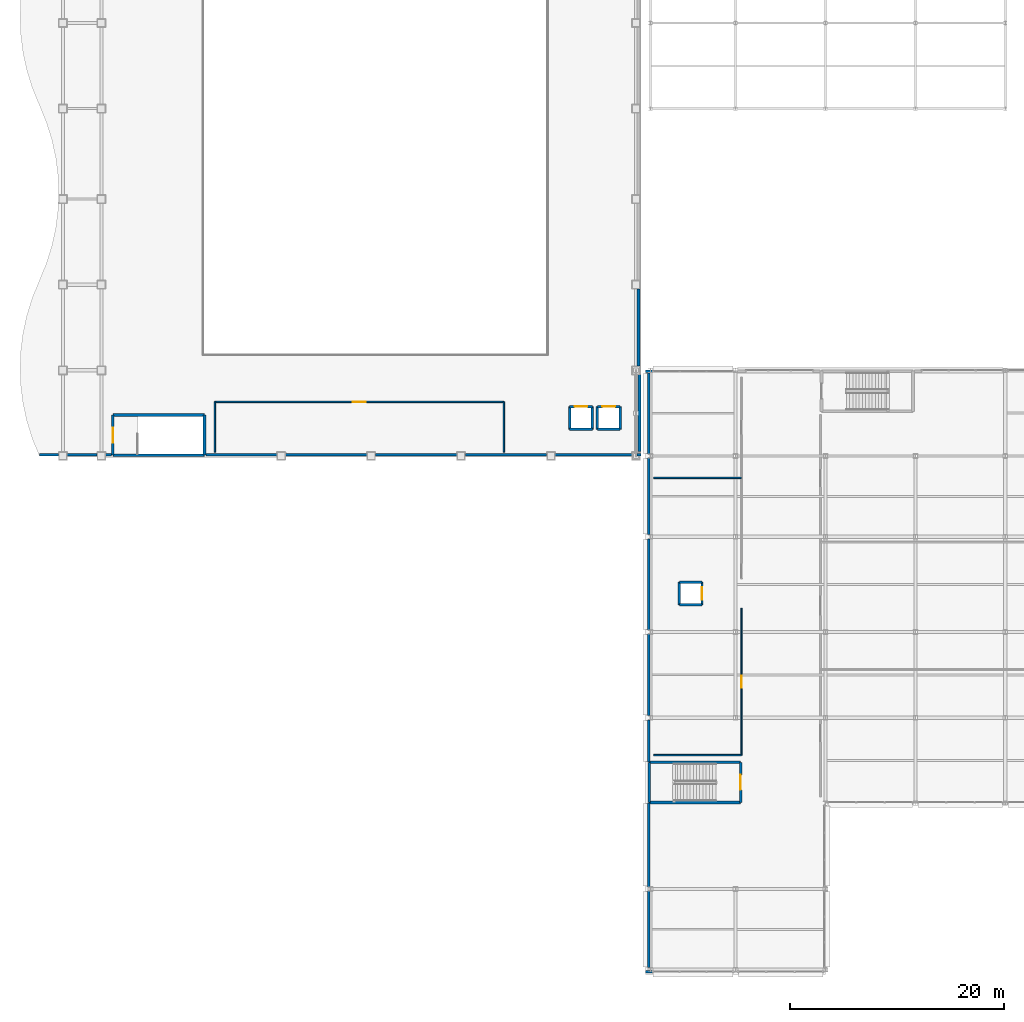
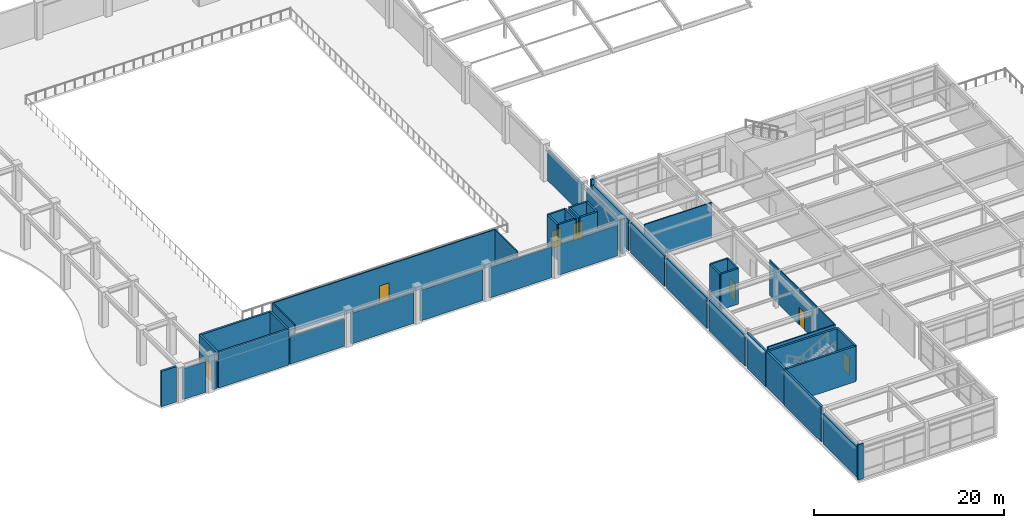
# One storey, part 73 of 93: 46 walls, 7 doors, 7 openings.
"""IFC4 building model written with IfcOpenShell, lengths in metres."""

from ifc_helpers import new_model, si_unit, direction, frame, frame_2d, origin, place, context, subcontext, project, spatial, rectangle, extrude, material, layer, layer_set, type_object, element, fill, save


model = new_model("IFC4")

# Units and contexts
model_context = context("Model", 3, precision=1e-05, world=origin(), true_north=direction((0.0, 1.0)))
body_context = subcontext(model_context, "Body", "Model", "MODEL_VIEW")
ifc_project = project(units=[si_unit("LENGTHUNIT", "METRE"), si_unit("AREAUNIT", "SQUARE_METRE"), si_unit("VOLUMEUNIT", "CUBIC_METRE"), si_unit("PLANEANGLEUNIT", "RADIAN"), si_unit("MASSUNIT", "GRAM", prefix="KILO")], contexts=[model_context])

# Site, building, storey
site_placement = place(None, origin())
site = spatial("IfcSite", under=ifc_project, at=site_placement, CompositionType="ELEMENT")
building_placement = place(site_placement, origin())
building = spatial("IfcBuilding", under=site, at=building_placement, Name="Kazehara Bluff Congress Hotel", CompositionType="ELEMENT")
storey_placement = place(building_placement, frame((0.0, 0.0, 15.0)))
storey = spatial("IfcBuildingStorey", under=building, at=storey_placement, Name="L03", CompositionType="ELEMENT", Elevation=15.0)

# Wall, opening, door
ifc_material_1 = material(Name="Concrete C40/50", Category="concrete")
ifc_layer_1 = layer(ifc_material_1, 0.25)
ifc_layer_set_1 = layer_set([ifc_layer_1], Name="Concrete C40/50")
wall_type_1 = type_object("IfcWallType", Name="TP-CW-RC", PredefinedType="SHEAR", material=ifc_layer_set_1)
wall_1_placement = place(storey_placement, frame((9.47509765625, 48.52490234375, 0.0), z_axis=(0.0, 0.0, 1.0), x_axis=(0.0, 1.0, 0.0)))
wall_1 = element("IfcWall", 1, at=wall_1_placement, inside=storey, type_object=wall_type_1, Name="L03 ST-03 core wall near", PredefinedType="SHEAR", context=body_context, shape_type="SweptSolid", body=[
    extrude(rectangle(XDim=3.75, YDim=0.25, at=frame_2d((1.875, 0.0))), origin(), (0.0, 0.0, 1.0), 4.56005859375),
])
opening_1_placement = place(wall_1_placement, frame((1.175048828125, 0.0, 0.0)))
opening_1 = element("IfcOpeningElement", 2, at=opening_1_placement, cuts=wall_1, Name="Opening FD-03", PredefinedType="OPENING", context=body_context, shape_type="SweptSolid", body=[
    extrude(rectangle(XDim=1.39990234375, YDim=2.25, at=frame_2d((0.699951171875, 1.125))), frame((0.0, 0.135009765625, 0.0), z_axis=(0.0, -1.0, 0.0), x_axis=(1.0, 0.0, 0.0)), (0.0, 0.0, 1.0), 0.27001953125),
])
ifc_material_2 = material(Name="Fire-rated painted steel leaf", Category="steel")
door_type_1 = type_object("IfcDoorType", Name="TP-FD-03", OperationType="NOTDEFINED", PredefinedType="DOOR", material=ifc_material_2)
door_1_placement = place(opening_1_placement, origin())
door_1 = element("IfcDoor", 3, at=door_1_placement, inside=storey, type_object=door_type_1, Name="L03 ST-03 fire stair door", OperationType="SINGLE_SWING_RIGHT", OverallHeight=2.25, OverallWidth=1.39990234375, PredefinedType="DOOR", context=body_context, shape_type="SweptSolid", body=[
    extrude(rectangle(XDim=1.39990234375, YDim=2.25, at=frame_2d((0.699951171875, 1.125))), frame((0.0, 0.02490234375, 0.0), z_axis=(0.0, -1.0, 0.0), x_axis=(1.0, 0.0, 0.0)), (0.0, 0.0, 1.0), 0.050048828125),
])
fill(opening_1, door_1)

# Walls
wall_2_placement = place(storey_placement, frame((18.02490234375, 52.27490234375, 0.0), z_axis=(0.0, 0.0, 1.0), x_axis=(0.0, -1.0, 0.0)))
element("IfcWall", 4, at=wall_2_placement, inside=storey, type_object=wall_type_1, Name="L03 ST-03 core wall far", PredefinedType="SHEAR", context=body_context, shape_type="SweptSolid", body=[
    extrude(rectangle(XDim=3.75, YDim=0.25, at=frame_2d((1.875, 0.0))), origin(), (0.0, 0.0, 1.0), 4.56005859375),
])
for number, where, z_axis, x_axis, name in (
    (5, (18.02490234375, 48.52490234375, 0.0), (0.0, 0.0, 1.0), (-1.0, 0.0, 0.0), "L03 ST-03 core wall left"),
    (6, (9.47509765625, 52.27490234375, 0.0), (0.0, 0.0, 1.0), (1.0, 0.0, 0.0), "L03 ST-03 core wall right"),
):
    element("IfcWall", number, at=place(storey_placement, frame(where, z_axis=z_axis, x_axis=x_axis)), inside=storey, type_object=wall_type_1, Name=name, PredefinedType="SHEAR", context=body_context, shape_type="SweptSolid", body=[
        extrude(rectangle(XDim=8.5498046875, YDim=0.25, at=frame_2d((4.27490234375, 0.0))), origin(), (0.0, 0.0, 1.0), 4.56005859375),
    ])

# Wall, opening, door
wall_3_placement = place(storey_placement, frame((68.125, 19.824951171875, 0.0), z_axis=(0.0, 0.0, 1.0), x_axis=(0.0, -1.0, 0.0)))
wall_3 = element("IfcWall", 7, at=wall_3_placement, inside=storey, type_object=wall_type_1, Name="L03 ST-08 core wall near", PredefinedType="SHEAR", context=body_context, shape_type="SweptSolid", body=[
    extrude(rectangle(XDim=3.75, YDim=0.25, at=frame_2d((1.875, 0.0))), origin(), (0.0, 0.0, 1.0), 4.56005859375),
])
opening_2_placement = place(wall_3_placement, frame((1.175048828125, 0.0, 0.0)))
opening_2 = element("IfcOpeningElement", 8, at=opening_2_placement, cuts=wall_3, Name="Opening FD-03", PredefinedType="OPENING", context=body_context, shape_type="SweptSolid", body=[
    extrude(rectangle(XDim=1.39990234375, YDim=2.25, at=frame_2d((0.699951171875, 1.125))), frame((0.0, 0.135009765625, 0.0), z_axis=(0.0, -1.0, 0.0), x_axis=(1.0, 0.0, 0.0)), (0.0, 0.0, 1.0), 0.27001953125),
])
door_2_placement = place(opening_2_placement, origin())
door_2 = element("IfcDoor", 9, at=door_2_placement, inside=storey, type_object=door_type_1, Name="L03 ST-08 fire stair door", OperationType="SINGLE_SWING_LEFT", OverallHeight=2.25, OverallWidth=1.39990234375, PredefinedType="DOOR", context=body_context, shape_type="SweptSolid", body=[
    extrude(rectangle(XDim=1.39990234375, YDim=2.25, at=frame_2d((0.699951171875, 1.125))), frame((0.0, 0.02490234375, 0.0), z_axis=(0.0, -1.0, 0.0), x_axis=(1.0, 0.0, 0.0)), (0.0, 0.0, 1.0), 0.050048828125),
])
fill(opening_2, door_2)

# Walls
wall_4_placement = place(storey_placement, frame((59.574951171875, 16.074951171875, 0.0), z_axis=(0.0, 0.0, 1.0), x_axis=(0.0, 1.0, 0.0)))
element("IfcWall", 10, at=wall_4_placement, inside=storey, type_object=wall_type_1, Name="L03 ST-08 core wall far", PredefinedType="SHEAR", context=body_context, shape_type="SweptSolid", body=[
    extrude(rectangle(XDim=3.75, YDim=0.25, at=frame_2d((1.875, 0.0))), origin(), (0.0, 0.0, 1.0), 4.56005859375),
])
for number, where, z_axis, x_axis, name in (
    (11, (59.574951171875, 19.824951171875, 0.0), (0.0, 0.0, 1.0), (1.0, 0.0, 0.0), "L03 ST-08 core wall left"),
    (12, (68.125, 16.074951171875, 0.0), (0.0, 0.0, 1.0), (-1.0, 0.0, 0.0), "L03 ST-08 core wall right"),
):
    element("IfcWall", number, at=place(storey_placement, frame(where, z_axis=z_axis, x_axis=x_axis)), inside=storey, type_object=wall_type_1, Name=name, PredefinedType="SHEAR", context=body_context, shape_type="SweptSolid", body=[
        extrude(rectangle(XDim=8.550048828125, YDim=0.25, at=frame_2d((4.27490234375, 0.0))), origin(), (0.0, 0.0, 1.0), 4.56005859375),
    ])
ifc_material_3 = material(Name="Precast concrete C40/50", Category="concrete")
ifc_layer_2 = layer(ifc_material_3, 0.239990234375)
ifc_layer_set_2 = layer_set([ifc_layer_2], Name="Precast concrete C40/50")
wall_type_2 = type_object("IfcWallType", Name="TP-EW-240", PredefinedType="SOLIDWALL", material=ifc_layer_set_2)
for number, where, z_axis, x_axis, name in (
    (13, (58.669921875, 48.85009765625, 0.0), (0.0, 0.0, 1.0), (0.0, 1.0, 0.0), "L03 braced-bay recessed facade wall 6"),
    (14, (58.580078125, 64.050048828125, 0.0), (0.0, 0.0, 1.0), (0.0, -1.0, 0.0), "L03 V1 perimeter spandrel pier 672"),
):
    element("IfcWall", number, at=place(storey_placement, frame(where, z_axis=z_axis, x_axis=x_axis)), inside=storey, type_object=wall_type_2, Name=name, PredefinedType="SOLIDWALL", context=body_context, shape_type="SweptSolid", body=[
        extrude(rectangle(XDim=7.199951171875, YDim=0.239990234375, at=frame_2d((3.60009765625, 0.0))), origin(), (0.0, 0.0, 1.0), 3.885009765625),
    ])
wall_5_placement = place(storey_placement, frame((4.39990234375, 48.550048828125, 0.0), z_axis=(0.0, 0.0, 1.0), x_axis=(-1.0, 0.0, 0.0)))
element("IfcWall", 15, at=wall_5_placement, inside=storey, type_object=wall_type_2, Name="L03 V1 perimeter spandrel pier 687", PredefinedType="SOLIDWALL", context=body_context, shape_type="SweptSolid", body=[
    extrude(rectangle(XDim=1.7998046875, YDim=0.239990234375, at=frame_2d((0.89990234375, 0.0))), origin(), (0.0, 0.0, 1.0), 4.544921875),
])
wall_6_placement = place(storey_placement, frame((8.0, 48.550048828125, 0.0), z_axis=(0.0, 0.0, 1.0), x_axis=(-1.0, 0.0, 0.0)))
element("IfcWall", 16, at=wall_6_placement, inside=storey, type_object=wall_type_2, Name="L03 V1 perimeter spandrel pier 688", PredefinedType="SOLIDWALL", context=body_context, shape_type="SweptSolid", body=[
    extrude(rectangle(XDim=2.800048828125, YDim=0.239990234375, at=frame_2d((1.39990234375, 0.0))), origin(), (0.0, 0.0, 1.0), 3.93505859375),
])
wall_7_placement = place(storey_placement, frame((9.340087890625, 48.550048828125, 0.0), z_axis=(0.0, 0.0, 1.0), x_axis=(-1.0, 0.0, 0.0)))
element("IfcWall", 17, at=wall_7_placement, inside=storey, type_object=wall_type_2, Name="L03 V1 perimeter spandrel pier 689", PredefinedType="SOLIDWALL", context=body_context, shape_type="SweptSolid", body=[
    extrude(rectangle(XDim=0.5400390625, YDim=0.239990234375, at=frame_2d((0.27001953125, 0.0))), origin(), (0.0, 0.0, 1.0), 3.534912109375),
])
wall_8_placement = place(storey_placement, frame((24.800048828125, 48.550048828125, 0.0), z_axis=(0.0, 0.0, 1.0), x_axis=(-1.0, 0.0, 0.0)))
element("IfcWall", 18, at=wall_8_placement, inside=storey, type_object=wall_type_2, Name="L03 V1 perimeter spandrel pier 690", PredefinedType="SOLIDWALL", context=body_context, shape_type="SweptSolid", body=[
    extrude(rectangle(XDim=6.64013671875, YDim=0.239990234375, at=frame_2d((3.320068359375, 0.0))), origin(), (0.0, 0.0, 1.0), 3.534912109375),
])
wall_9_placement = place(storey_placement, frame((33.199951171875, 48.550048828125, 0.0), z_axis=(0.0, 0.0, 1.0), x_axis=(-1.0, 0.0, 0.0)))
element("IfcWall", 19, at=wall_9_placement, inside=storey, type_object=wall_type_2, Name="L03 V1 perimeter spandrel pier 691", PredefinedType="SOLIDWALL", context=body_context, shape_type="SweptSolid", body=[
    extrude(rectangle(XDim=7.599853515625, YDim=0.239990234375, at=frame_2d((3.7998046875, 0.0))), origin(), (0.0, 0.0, 1.0), 3.93505859375),
])
for number, where, z_axis, x_axis, name in (
    (20, (41.60009765625, 48.550048828125, 0.0), (0.0, 0.0, 1.0), (-1.0, 0.0, 0.0), "L03 V1 perimeter spandrel pier 692"),
    (21, (50.0, 48.550048828125, 0.0), (0.0, 0.0, 1.0), (-1.0, 0.0, 0.0), "L03 V1 perimeter spandrel pier 693"),
):
    element("IfcWall", number, at=place(storey_placement, frame(where, z_axis=z_axis, x_axis=x_axis)), inside=storey, type_object=wall_type_2, Name=name, PredefinedType="SOLIDWALL", context=body_context, shape_type="SweptSolid", body=[
        extrude(rectangle(XDim=7.60009765625, YDim=0.239990234375, at=frame_2d((3.800048828125, 0.0))), origin(), (0.0, 0.0, 1.0), 3.93505859375),
    ])
wall_10_placement = place(storey_placement, frame((57.949951171875, 48.550048828125, 0.0), z_axis=(0.0, 0.0, 1.0), x_axis=(-1.0, 0.0, 0.0)))
element("IfcWall", 22, at=wall_10_placement, inside=storey, type_object=wall_type_2, Name="L03 V1 perimeter spandrel pier 694", PredefinedType="SOLIDWALL", context=body_context, shape_type="SweptSolid", body=[
    extrude(rectangle(XDim=7.14990234375, YDim=0.239990234375, at=frame_2d((3.574951171875, 0.0))), origin(), (0.0, 0.0, 1.0), 3.93505859375),
])
wall_11_placement = place(storey_placement, frame((58.800048828125, 48.550048828125, 0.0), z_axis=(0.0, 0.0, 1.0), x_axis=(-1.0, 0.0, 0.0)))
element("IfcWall", 23, at=wall_11_placement, inside=storey, type_object=wall_type_2, Name="L03 V1 perimeter spandrel pier 695", PredefinedType="SOLIDWALL", context=body_context, shape_type="SweptSolid", body=[
    extrude(rectangle(XDim=0.360107421875, YDim=0.239990234375, at=frame_2d((0.18017578125, 0.0))), origin(), (0.0, 0.0, 1.0), 4.544921875),
])
for number, where, z_axis, x_axis, name in (
    (24, (59.89990234375, 0.27001953125, 0.0), (0.0, 0.0, 1.0), (-1.0, 0.0, 0.0), "L03 V4 perimeter spandrel pier 696"),
    (25, (59.25, 56.35009765625, 0.0), (0.0, 0.0, 1.0), (1.0, 0.0, 0.0), "L03 V4 perimeter spandrel pier 697"),
):
    element("IfcWall", number, at=place(storey_placement, frame(where, z_axis=z_axis, x_axis=x_axis)), inside=storey, type_object=wall_type_2, Name=name, PredefinedType="SOLIDWALL", context=body_context, shape_type="SweptSolid", body=[
        extrude(rectangle(XDim=0.64990234375, YDim=0.239990234375, at=frame_2d((0.324951171875, 0.0))), origin(), (0.0, 0.0, 1.0), 4.544921875),
    ])
wall_12_placement = place(storey_placement, frame((59.52001953125, 0.64990234375, 0.0), z_axis=(0.0, 0.0, 1.0), x_axis=(0.0, 1.0, 0.0)))
element("IfcWall", 26, at=wall_12_placement, inside=storey, type_object=wall_type_2, Name="L03 V4 perimeter spandrel pier 701", PredefinedType="SOLIDWALL", context=body_context, shape_type="SweptSolid", body=[
    extrude(rectangle(XDim=7.150146484375, YDim=0.239990234375, at=frame_2d((3.5751953125, 0.0))), origin(), (0.0, 0.0, 1.0), 3.885009765625),
])
wall_13_placement = place(storey_placement, frame((59.52001953125, 8.199951171875, 0.0), z_axis=(0.0, 0.0, 1.0), x_axis=(0.0, 1.0, 0.0)))
element("IfcWall", 27, at=wall_13_placement, inside=storey, type_object=wall_type_2, Name="L03 V4 perimeter spandrel pier 702", PredefinedType="SOLIDWALL", context=body_context, shape_type="SweptSolid", body=[
    extrude(rectangle(XDim=7.8349609375, YDim=0.239990234375, at=frame_2d((3.91748046875, 0.0))), origin(), (0.0, 0.0, 1.0), 4.544921875),
])
wall_14_placement = place(storey_placement, frame((59.52001953125, 19.864990234375, 0.0), z_axis=(0.0, 0.0, 1.0), x_axis=(0.0, 1.0, 0.0)))
element("IfcWall", 28, at=wall_14_placement, inside=storey, type_object=wall_type_2, Name="L03 V4 perimeter spandrel pier 703", PredefinedType="SOLIDWALL", context=body_context, shape_type="SweptSolid", body=[
    extrude(rectangle(XDim=3.93505859375, YDim=0.239990234375, at=frame_2d((1.967529296875, 0.0))), origin(), (0.0, 0.0, 1.0), 4.544921875),
])
wall_15_placement = place(storey_placement, frame((59.52001953125, 24.199951171875, 0.0), z_axis=(0.0, 0.0, 1.0), x_axis=(0.0, 1.0, 0.0)))
element("IfcWall", 29, at=wall_15_placement, inside=storey, type_object=wall_type_2, Name="L03 V4 perimeter spandrel pier 704", PredefinedType="SOLIDWALL", context=body_context, shape_type="SweptSolid", body=[
    extrude(rectangle(XDim=7.60009765625, YDim=0.239990234375, at=frame_2d((3.800048828125, 0.0))), origin(), (0.0, 0.0, 1.0), 3.885009765625),
])
wall_16_placement = place(storey_placement, frame((59.52001953125, 32.199951171875, 0.0), z_axis=(0.0, 0.0, 1.0), x_axis=(0.0, 1.0, 0.0)))
element("IfcWall", 30, at=wall_16_placement, inside=storey, type_object=wall_type_2, Name="L03 V4 perimeter spandrel pier 705", PredefinedType="SOLIDWALL", context=body_context, shape_type="SweptSolid", body=[
    extrude(rectangle(XDim=8.5, YDim=0.239990234375, at=frame_2d((4.25, 0.0))), origin(), (0.0, 0.0, 1.0), 3.885009765625),
])
wall_17_placement = place(storey_placement, frame((59.52001953125, 41.10009765625, 0.0), z_axis=(0.0, 0.0, 1.0), x_axis=(0.0, 1.0, 0.0)))
element("IfcWall", 31, at=wall_17_placement, inside=storey, type_object=wall_type_2, Name="L03 V4 perimeter spandrel pier 706", PredefinedType="SOLIDWALL", context=body_context, shape_type="SweptSolid", body=[
    extrude(rectangle(XDim=7.14990234375, YDim=0.239990234375, at=frame_2d((3.574951171875, 0.0))), origin(), (0.0, 0.0, 1.0), 3.885009765625),
])
wall_18_placement = place(storey_placement, frame((59.52001953125, 48.64990234375, 0.0), z_axis=(0.0, 0.0, 1.0), x_axis=(0.0, 1.0, 0.0)))
element("IfcWall", 32, at=wall_18_placement, inside=storey, type_object=wall_type_2, Name="L03 V4 perimeter spandrel pier 707", PredefinedType="SOLIDWALL", context=body_context, shape_type="SweptSolid", body=[
    extrude(rectangle(XDim=7.570068359375, YDim=0.239990234375, at=frame_2d((3.78515625, 0.0))), origin(), (0.0, 0.0, 1.0), 3.885009765625),
])
ifc_material_4 = material(Name="Fire-rated gypsum board stud partition")
ifc_layer_3 = layer(ifc_material_4, 0.1298828125)
ifc_layer_set_3 = layer_set([ifc_layer_3], Name="Fire-rated gypsum board stud partition")
wall_type_3 = type_object("IfcWallType", Name="TP-PT-130", PredefinedType="PARTITIONING", material=ifc_layer_set_3)
for number, where, z_axis, x_axis, name in (
    (33, (60.0, 20.5, 0.0), (0.0, 0.0, 1.0), (1.0, 0.0, 0.0), "L03 partition PT-130 247"),
    (34, (60.0, 46.39990234375, 0.0), (0.0, 0.0, 1.0), (1.0, 0.0, 0.0), "L03 partition PT-130 264"),
):
    element("IfcWall", number, at=place(storey_placement, frame(where, z_axis=z_axis, x_axis=x_axis)), inside=storey, type_object=wall_type_3, Name=name, PredefinedType="PARTITIONING", context=body_context, shape_type="SweptSolid", body=[
        extrude(rectangle(XDim=8.199951171875, YDim=0.1298828125, at=frame_2d((4.10009765625, 0.0))), origin(), (0.0, 0.0, 1.0), 4.544921875),
    ])

# Wall, opening, door
wall_19_placement = place(storey_placement, frame((19.0, 53.5, 0.0), z_axis=(0.0, 0.0, 1.0), x_axis=(1.0, 0.0, 0.0)))
wall_19 = element("IfcWall", 35, at=wall_19_placement, inside=storey, type_object=wall_type_3, Name="L03 partition PT-130 273", PredefinedType="PARTITIONING", context=body_context, shape_type="SweptSolid", body=[
    extrude(rectangle(XDim=27.0, YDim=0.1298828125, at=frame_2d((13.5, 0.0))), origin(), (0.0, 0.0, 1.0), 4.544921875),
])
opening_3_placement = place(wall_19_placement, frame((12.89990234375, 0.0, 0.0)))
opening_3 = element("IfcOpeningElement", 36, at=opening_3_placement, cuts=wall_19, Name="Opening FD-02", PredefinedType="OPENING", context=body_context, shape_type="SweptSolid", body=[
    extrude(rectangle(XDim=1.199951171875, YDim=2.199951171875, at=frame_2d((0.60009765625, 1.10009765625))), frame((0.0, 0.074951171875, 0.0), z_axis=(0.0, -1.0, 0.0), x_axis=(1.0, 0.0, 0.0)), (0.0, 0.0, 1.0), 0.14990234375),
])
ifc_material_5 = material(Name="Fire-rated painted steel leaf", Category="steel")
door_type_2 = type_object("IfcDoorType", Name="TP-FD-02", OperationType="NOTDEFINED", PredefinedType="DOOR", material=ifc_material_5)
door_3_placement = place(opening_3_placement, origin())
door_3 = element("IfcDoor", 37, at=door_3_placement, inside=storey, type_object=door_type_2, Name="L03 Broadcast and Projection Control Suite door", OperationType="SINGLE_SWING_LEFT", OverallHeight=2.199951171875, OverallWidth=1.199951171875, PredefinedType="DOOR", context=body_context, shape_type="SweptSolid", body=[
    extrude(rectangle(XDim=1.199951171875, YDim=2.199951171875, at=frame_2d((0.60009765625, 1.10009765625))), frame((0.0, 0.02490234375, 0.0), z_axis=(0.0, -1.0, 0.0), x_axis=(1.0, 0.0, 0.0)), (0.0, 0.0, 1.0), 0.050048828125),
])
fill(opening_3, door_3)

# Walls
for number, where, z_axis, x_axis, name in (
    (38, (19.0, 48.800048828125, 0.0), (0.0, 0.0, 1.0), (0.0, 1.0, 0.0), "L03 partition PT-130 322"),
    (39, (46.0, 48.800048828125, 0.0), (0.0, 0.0, 1.0), (0.0, 1.0, 0.0), "L03 partition PT-130 323"),
):
    element("IfcWall", number, at=place(storey_placement, frame(where, z_axis=z_axis, x_axis=x_axis)), inside=storey, type_object=wall_type_3, Name=name, PredefinedType="PARTITIONING", context=body_context, shape_type="SweptSolid", body=[
        extrude(rectangle(XDim=4.699951171875, YDim=0.1298828125, at=frame_2d((2.35009765625, 0.0))), origin(), (0.0, 0.0, 1.0), 4.544921875),
    ])

# Wall, opening, door
wall_20_placement = place(storey_placement, frame((68.199951171875, 20.5, 0.0), z_axis=(0.0, 0.0, 1.0), x_axis=(0.0, 1.0, 0.0)))
wall_20 = element("IfcWall", 40, at=wall_20_placement, inside=storey, type_object=wall_type_3, Name="L03 partition PT-130 324", PredefinedType="PARTITIONING", context=body_context, shape_type="SweptSolid", body=[
    extrude(rectangle(XDim=13.699951171875, YDim=0.1298828125, at=frame_2d((6.85009765625, 0.0))), origin(), (0.0, 0.0, 1.0), 4.544921875),
])
opening_4_placement = place(wall_20_placement, frame((6.27490234375, 0.0, 0.0)))
opening_4 = element("IfcOpeningElement", 41, at=opening_4_placement, cuts=wall_20, Name="Opening ID-04", PredefinedType="OPENING", context=body_context, shape_type="SweptSolid", body=[
    extrude(rectangle(XDim=1.14990234375, YDim=2.219970703125, at=frame_2d((0.574951171875, 1.10986328125))), frame((0.0, 0.074951171875, 0.0), z_axis=(0.0, -1.0, 0.0), x_axis=(1.0, 0.0, 0.0)), (0.0, 0.0, 1.0), 0.14990234375),
])
ifc_material_6 = material(Name="Architectural oak veneer leaf")
door_type_3 = type_object("IfcDoorType", Name="TP-ID-04", OperationType="NOTDEFINED", PredefinedType="DOOR", material=ifc_material_6)
door_4_placement = place(opening_4_placement, origin())
door_4 = element("IfcDoor", 42, at=door_4_placement, inside=storey, type_object=door_type_3, Name="L03 Meeting Room L03-1 door", OperationType="SINGLE_SWING_RIGHT", OverallHeight=2.219970703125, OverallWidth=1.14990234375, PredefinedType="DOOR", context=body_context, shape_type="SweptSolid", body=[
    extrude(rectangle(XDim=1.14990234375, YDim=2.219970703125, at=frame_2d((0.574951171875, 1.10986328125))), frame((0.0, 0.02490234375, 0.0), z_axis=(0.0, -1.0, 0.0), x_axis=(1.0, 0.0, 0.0)), (0.0, 0.0, 1.0), 0.050048828125),
])
fill(opening_4, door_4)

ifc_material_7 = material(Name="Concrete C40/50", Category="concrete")
ifc_layer_4 = layer(ifc_material_7, 0.219970703125)
ifc_layer_set_4 = layer_set([ifc_layer_4], Name="Concrete C40/50")
wall_type_4 = type_object("IfcWallType", Name="TP-SW-RC", PredefinedType="SHEAR", material=ifc_layer_set_4)
wall_21_placement = place(storey_placement, frame((52.139892578125, 53.06005859375, 0.0), z_axis=(0.0, 0.0, 1.0), x_axis=(1.0, 0.0, 0.0)))
wall_21 = element("IfcWall", 43, at=wall_21_placement, inside=storey, type_object=wall_type_4, Name="L03 EL-C1 lift shaft wall +Y", PredefinedType="SHEAR", context=body_context, shape_type="SweptSolid", body=[
    extrude(rectangle(XDim=2.1201171875, YDim=0.219970703125, at=frame_2d((1.06005859375, 0.0))), origin(), (0.0, 0.0, 1.0), 4.56005859375),
])
opening_5_placement = place(wall_21_placement, frame((0.4599609375, 0.0, 0.0)))
opening_5 = element("IfcOpeningElement", 44, at=opening_5_placement, cuts=wall_21, Name="Opening LD-02", PredefinedType="OPENING", context=body_context, shape_type="SweptSolid", body=[
    extrude(rectangle(XDim=1.199951171875, YDim=2.25, at=frame_2d((0.60009765625, 1.125))), frame((0.0, 0.119873046875, 0.0), z_axis=(0.0, -1.0, 0.0), x_axis=(1.0, 0.0, 0.0)), (0.0, 0.0, 1.0), 0.239990234375),
])
ifc_material_8 = material(Name="Fire-rated painted steel leaf", Category="steel")
door_type_4 = type_object("IfcDoorType", Name="TP-LD-02", OperationType="SLIDING_TO_LEFT", PredefinedType="DOOR", material=ifc_material_8)
door_5_placement = place(opening_5_placement, origin())
door_5 = element("IfcDoor", 45, at=door_5_placement, inside=storey, type_object=door_type_4, Name="L03 EL-C1 elevator landing door", OperationType="SLIDING_TO_LEFT", OverallHeight=2.25, OverallWidth=1.199951171875, PredefinedType="DOOR", context=body_context, shape_type="SweptSolid", body=[
    extrude(rectangle(XDim=1.199951171875, YDim=2.25, at=frame_2d((0.60009765625, 1.125))), frame((0.0, 0.02490234375, 0.0), z_axis=(0.0, -1.0, 0.0), x_axis=(1.0, 0.0, 0.0)), (0.0, 0.0, 1.0), 0.050048828125),
])
fill(opening_5, door_5)

# Walls
for number, where, z_axis, x_axis, name in (
    (46, (52.139892578125, 50.93994140625, 0.0), (0.0, 0.0, 1.0), (1.0, 0.0, 0.0), "L03 EL-C1 lift shaft wall -Y"),
    (47, (54.260009765625, 50.93994140625, 0.0), (0.0, 0.0, 1.0), (0.0, 1.0, 0.0), "L03 EL-C1 lift shaft wall +X"),
    (48, (52.139892578125, 50.93994140625, 0.0), (0.0, 0.0, 1.0), (0.0, 1.0, 0.0), "L03 EL-C1 lift shaft wall -X"),
):
    element("IfcWall", number, at=place(storey_placement, frame(where, z_axis=z_axis, x_axis=x_axis)), inside=storey, type_object=wall_type_4, Name=name, PredefinedType="SHEAR", context=body_context, shape_type="SweptSolid", body=[
        extrude(rectangle(XDim=2.1201171875, YDim=0.219970703125, at=frame_2d((1.06005859375, 0.0))), origin(), (0.0, 0.0, 1.0), 4.56005859375),
    ])

# Wall, opening, door
wall_22_placement = place(storey_placement, frame((54.739990234375, 53.06005859375, 0.0), z_axis=(0.0, 0.0, 1.0), x_axis=(1.0, 0.0, 0.0)))
wall_22 = element("IfcWall", 49, at=wall_22_placement, inside=storey, type_object=wall_type_4, Name="L03 EL-C2 lift shaft wall +Y", PredefinedType="SHEAR", context=body_context, shape_type="SweptSolid", body=[
    extrude(rectangle(XDim=2.1201171875, YDim=0.219970703125, at=frame_2d((1.06005859375, 0.0))), origin(), (0.0, 0.0, 1.0), 4.56005859375),
])
opening_6_placement = place(wall_22_placement, frame((0.4599609375, 0.0, 0.0)))
opening_6 = element("IfcOpeningElement", 50, at=opening_6_placement, cuts=wall_22, Name="Opening LD-02", PredefinedType="OPENING", context=body_context, shape_type="SweptSolid", body=[
    extrude(rectangle(XDim=1.199951171875, YDim=2.25, at=frame_2d((0.60009765625, 1.125))), frame((0.0, 0.119873046875, 0.0), z_axis=(0.0, -1.0, 0.0), x_axis=(1.0, 0.0, 0.0)), (0.0, 0.0, 1.0), 0.239990234375),
])
door_6_placement = place(opening_6_placement, origin())
door_6 = element("IfcDoor", 51, at=door_6_placement, inside=storey, type_object=door_type_4, Name="L03 EL-C2 elevator landing door", OperationType="SLIDING_TO_LEFT", OverallHeight=2.25, OverallWidth=1.199951171875, PredefinedType="DOOR", context=body_context, shape_type="SweptSolid", body=[
    extrude(rectangle(XDim=1.199951171875, YDim=2.25, at=frame_2d((0.60009765625, 1.125))), frame((0.0, 0.02490234375, 0.0), z_axis=(0.0, -1.0, 0.0), x_axis=(1.0, 0.0, 0.0)), (0.0, 0.0, 1.0), 0.050048828125),
])
fill(opening_6, door_6)

# Walls
for number, where, z_axis, x_axis, name in (
    (52, (54.739990234375, 50.93994140625, 0.0), (0.0, 0.0, 1.0), (1.0, 0.0, 0.0), "L03 EL-C2 lift shaft wall -Y"),
    (53, (56.860107421875, 50.93994140625, 0.0), (0.0, 0.0, 1.0), (0.0, 1.0, 0.0), "L03 EL-C2 lift shaft wall +X"),
    (54, (54.739990234375, 50.93994140625, 0.0), (0.0, 0.0, 1.0), (0.0, 1.0, 0.0), "L03 EL-C2 lift shaft wall -X"),
    (55, (62.389892578125, 36.659912109375, 0.0), (0.0, 0.0, 1.0), (1.0, 0.0, 0.0), "L03 EL-C3 lift shaft wall +Y"),
    (56, (62.389892578125, 34.5400390625, 0.0), (0.0, 0.0, 1.0), (1.0, 0.0, 0.0), "L03 EL-C3 lift shaft wall -Y"),
):
    element("IfcWall", number, at=place(storey_placement, frame(where, z_axis=z_axis, x_axis=x_axis)), inside=storey, type_object=wall_type_4, Name=name, PredefinedType="SHEAR", context=body_context, shape_type="SweptSolid", body=[
        extrude(rectangle(XDim=2.1201171875, YDim=0.219970703125, at=frame_2d((1.06005859375, 0.0))), origin(), (0.0, 0.0, 1.0), 4.56005859375),
    ])

# Wall, opening, door
wall_23_placement = place(storey_placement, frame((64.510009765625, 34.5400390625, 0.0), z_axis=(0.0, 0.0, 1.0), x_axis=(0.0, 1.0, 0.0)))
wall_23 = element("IfcWall", 57, at=wall_23_placement, inside=storey, type_object=wall_type_4, Name="L03 EL-C3 lift shaft wall +X", PredefinedType="SHEAR", context=body_context, shape_type="SweptSolid", body=[
    extrude(rectangle(XDim=2.119873046875, YDim=0.219970703125, at=frame_2d((1.06005859375, 0.0))), origin(), (0.0, 0.0, 1.0), 4.56005859375),
])
opening_7_placement = place(wall_23_placement, frame((0.4599609375, 0.0, 0.0)))
opening_7 = element("IfcOpeningElement", 58, at=opening_7_placement, cuts=wall_23, Name="Opening LD-02", PredefinedType="OPENING", context=body_context, shape_type="SweptSolid", body=[
    extrude(rectangle(XDim=1.199951171875, YDim=2.25, at=frame_2d((0.60009765625, 1.125))), frame((0.0, 0.119873046875, 0.0), z_axis=(0.0, -1.0, 0.0), x_axis=(1.0, 0.0, 0.0)), (0.0, 0.0, 1.0), 0.239990234375),
])
door_7_placement = place(opening_7_placement, origin())
door_7 = element("IfcDoor", 59, at=door_7_placement, inside=storey, type_object=door_type_4, Name="L03 EL-C3 elevator landing door", OperationType="SLIDING_TO_LEFT", OverallHeight=2.25, OverallWidth=1.199951171875, PredefinedType="DOOR", context=body_context, shape_type="SweptSolid", body=[
    extrude(rectangle(XDim=1.199951171875, YDim=2.25, at=frame_2d((0.60009765625, 1.125))), frame((0.0, 0.02490234375, 0.0), z_axis=(0.0, -1.0, 0.0), x_axis=(1.0, 0.0, 0.0)), (0.0, 0.0, 1.0), 0.050048828125),
])
fill(opening_7, door_7)

# Wall
wall_24_placement = place(storey_placement, frame((62.389892578125, 34.5400390625, 0.0), z_axis=(0.0, 0.0, 1.0), x_axis=(0.0, 1.0, 0.0)))
element("IfcWall", 60, at=wall_24_placement, inside=storey, type_object=wall_type_4, Name="L03 EL-C3 lift shaft wall -X", PredefinedType="SHEAR", context=body_context, shape_type="SweptSolid", body=[
    extrude(rectangle(XDim=2.119873046875, YDim=0.219970703125, at=frame_2d((1.06005859375, 0.0))), origin(), (0.0, 0.0, 1.0), 4.56005859375),
])

save(model, "model.ifc")
